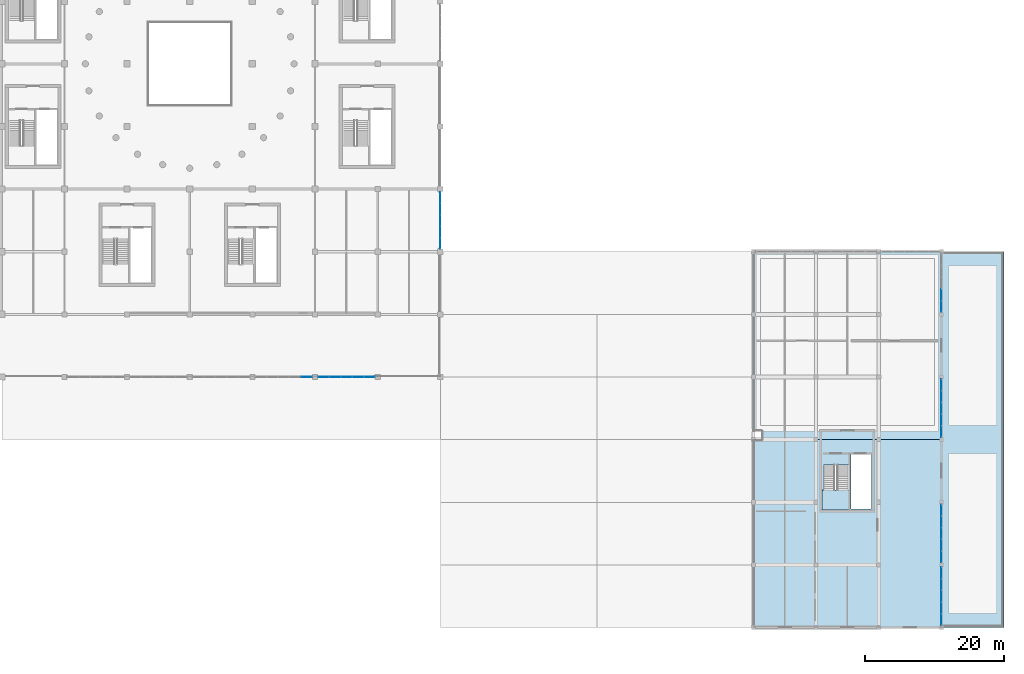
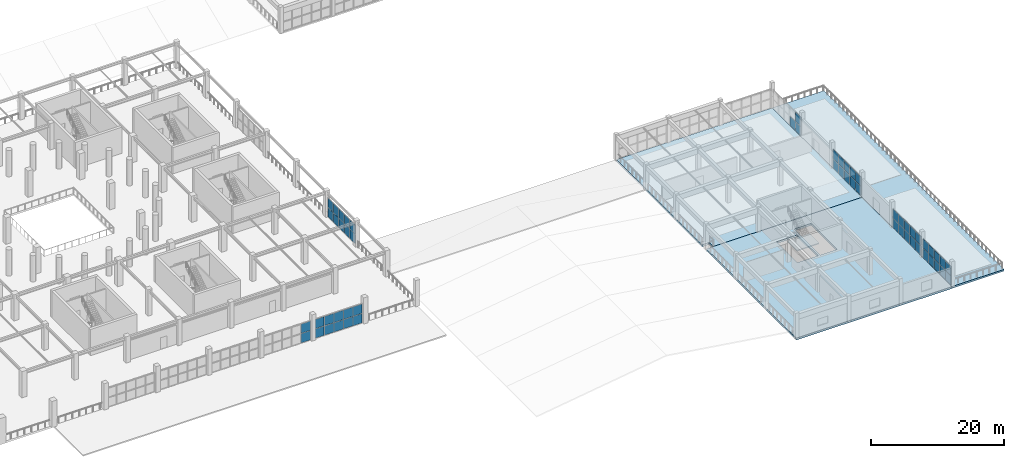
# One storey, part 54 of 89: 55 plates, 4 slabs, 8 elements without a shape of their own.
"""IFC4 building model written with IfcOpenShell, lengths in metres."""

from ifc_helpers import new_model, si_unit, direction, frame, origin, origin_2d, place, context, subcontext, project, spatial, polyline, rectangle, outline, extrude, material, layer, layer_set, type_object, element, aggregate, save


model = new_model("IFC4")

# Units and contexts
model_context = context("Model", 3, precision=1e-05, world=origin(), true_north=direction((0.0, 1.0)))
body_context = subcontext(model_context, "Body", "Model", "MODEL_VIEW")
ifc_project = project(units=[si_unit("LENGTHUNIT", "METRE"), si_unit("AREAUNIT", "SQUARE_METRE"), si_unit("VOLUMEUNIT", "CUBIC_METRE"), si_unit("PLANEANGLEUNIT", "RADIAN"), si_unit("MASSUNIT", "GRAM", prefix="KILO")], contexts=[model_context])

# Site, building, storey
site_placement = place(None, origin())
site = spatial("IfcSite", under=ifc_project, at=site_placement, CompositionType="ELEMENT")
building_placement = place(site_placement, origin())
building = spatial("IfcBuilding", under=site, at=building_placement, Name="Dornveld Trade and Exhibition Forum", CompositionType="ELEMENT")
storey_placement = place(building_placement, frame((0.0, 0.0, 12.0)))
storey = spatial("IfcBuildingStorey", under=building, at=storey_placement, Name="L02", CompositionType="ELEMENT", Elevation=12.0)

# Curtain wall, plates
ifc_material_1 = material(Name="Dark-bronze anodised aluminium and low-E glass", Category="aluminium")
ifc_layer_1 = layer(ifc_material_1, 0.18701171875)
ifc_layer_set_1 = layer_set([ifc_layer_1], Name="Dark-bronze anodised aluminium and low-E glass")
curtain_wall_type_1 = type_object("IfcCurtainWallType", Name="CW-SYS-15", PredefinedType="USERDEFINED", material=ifc_layer_set_1)
curtain_wall_1_placement = place(storey_placement, origin())
curtain_wall_1 = element("IfcCurtainWall", 1, at=curtain_wall_1_placement, inside=storey, type_object=curtain_wall_type_1, Name="L02 unitised curtain wall 51", ObjectType="UNITISED_CURTAIN_WALL", PredefinedType="USERDEFINED")
ifc_material_2 = material(Name="Double-glazed low-E solar control glass", Category="glass")
ifc_layer_2 = layer(ifc_material_2, 0.030029296875)
ifc_layer_set_2 = layer_set([ifc_layer_2], Name="Double-glazed low-E solar control glass")
plate_type_1 = type_object("IfcPlateType", Name="CW-PNL-03", PredefinedType="CURTAIN_PANEL", material=ifc_layer_set_2)
plate_1_placement = place(storey_placement, frame((133.7880859375, 36.0, 0.05615234375), z_axis=(0.0, 0.0, 1.0), x_axis=(1.0, 0.0, 0.0)))
plate_1 = element("IfcPlate", 2, at=plate_1_placement, type_object=plate_type_1, Name="CW-15 panel 5.1", PredefinedType="CURTAIN_PANEL", context=body_context, shape_type="SweptSolid", body=[
    extrude(rectangle(XDim=1.5615234375, YDim=0.030029296875, at=origin_2d()), origin(), (0.0, 0.0, 1.0), 1.701904296875),
])
plate_2_placement = place(storey_placement, frame((133.7880859375, 36.0, 1.81787109375), z_axis=(0.0, 0.0, 1.0), x_axis=(1.0, 0.0, 0.0)))
plate_2 = element("IfcPlate", 3, at=plate_2_placement, type_object=plate_type_1, Name="CW-15 panel 5.2", PredefinedType="CURTAIN_PANEL", context=body_context, shape_type="SweptSolid", body=[
    extrude(rectangle(XDim=1.5615234375, YDim=0.030029296875, at=origin_2d()), origin(), (0.0, 0.0, 1.0), 1.701904296875),
])
aggregate(curtain_wall_1, [plate_1, plate_2])

ifc_material_3 = material(Name="Dark-bronze anodised aluminium and low-E glass", Category="aluminium")
ifc_layer_3 = layer(ifc_material_3, 0.18994140625)
ifc_layer_set_3 = layer_set([ifc_layer_3], Name="Dark-bronze anodised aluminium and low-E glass")
curtain_wall_type_2 = type_object("IfcCurtainWallType", Name="CW-SYS-16", PredefinedType="USERDEFINED", material=ifc_layer_set_3)
curtain_wall_2_placement = place(storey_placement, origin())
curtain_wall_2 = element("IfcCurtainWall", 4, at=curtain_wall_2_placement, inside=storey, type_object=curtain_wall_type_2, Name="L02 unitised curtain wall 52", ObjectType="UNITISED_CURTAIN_WALL", PredefinedType="USERDEFINED")
ifc_material_4 = material(Name="Double-glazed low-E solar control glass", Category="glass")
ifc_layer_4 = layer(ifc_material_4, 0.031982421875)
ifc_layer_set_4 = layer_set([ifc_layer_4], Name="Double-glazed low-E solar control glass")
plate_type_2 = type_object("IfcPlateType", Name="CW-PNL-04", PredefinedType="CURTAIN_PANEL", material=ifc_layer_set_4)
plate_3_placement = place(storey_placement, frame((136.2119140625, 36.0, 0.05615234375), z_axis=(0.0, 0.0, 1.0), x_axis=(1.0, 0.0, 0.0)))
plate_3 = element("IfcPlate", 5, at=plate_3_placement, type_object=plate_type_2, Name="CW-16 panel 1.1", PredefinedType="CURTAIN_PANEL", context=body_context, shape_type="SweptSolid", body=[
    extrude(rectangle(XDim=1.5615234375, YDim=0.031982421875, at=origin_2d()), origin(), (0.0, 0.0, 1.0), 1.701904296875),
])
plate_4_placement = place(storey_placement, frame((136.2119140625, 36.0, 1.81787109375), z_axis=(0.0, 0.0, 1.0), x_axis=(1.0, 0.0, 0.0)))
plate_4 = element("IfcPlate", 6, at=plate_4_placement, type_object=plate_type_2, Name="CW-16 panel 1.2", PredefinedType="CURTAIN_PANEL", context=body_context, shape_type="SweptSolid", body=[
    extrude(rectangle(XDim=1.5615234375, YDim=0.031982421875, at=origin_2d()), origin(), (0.0, 0.0, 1.0), 1.701904296875),
])
plate_5_placement = place(storey_placement, frame((137.848388671875, 36.0, 0.05615234375), z_axis=(0.0, 0.0, 1.0), x_axis=(1.0, 0.0, 0.0)))
plate_5 = element("IfcPlate", 7, at=plate_5_placement, type_object=plate_type_2, Name="CW-16 panel 2.1", PredefinedType="CURTAIN_PANEL", context=body_context, shape_type="SweptSolid", body=[
    extrude(rectangle(XDim=1.591552734375, YDim=0.031982421875, at=origin_2d()), origin(), (0.0, 0.0, 1.0), 1.701904296875),
])
plate_6_placement = place(storey_placement, frame((137.848388671875, 36.0, 1.81787109375), z_axis=(0.0, 0.0, 1.0), x_axis=(1.0, 0.0, 0.0)))
plate_6 = element("IfcPlate", 8, at=plate_6_placement, type_object=plate_type_2, Name="CW-16 panel 2.2", PredefinedType="CURTAIN_PANEL", context=body_context, shape_type="SweptSolid", body=[
    extrude(rectangle(XDim=1.591552734375, YDim=0.031982421875, at=origin_2d()), origin(), (0.0, 0.0, 1.0), 1.701904296875),
])
plate_7_placement = place(storey_placement, frame((139.5, 36.0, 0.05615234375), z_axis=(0.0, 0.0, 1.0), x_axis=(1.0, 0.0, 0.0)))
plate_7 = element("IfcPlate", 9, at=plate_7_placement, type_object=plate_type_2, Name="CW-16 panel 3.1", PredefinedType="CURTAIN_PANEL", context=body_context, shape_type="SweptSolid", body=[
    extrude(rectangle(XDim=1.591552734375, YDim=0.031982421875, at=origin_2d()), origin(), (0.0, 0.0, 1.0), 1.701904296875),
])
plate_8_placement = place(storey_placement, frame((139.5, 36.0, 1.81787109375), z_axis=(0.0, 0.0, 1.0), x_axis=(1.0, 0.0, 0.0)))
plate_8 = element("IfcPlate", 10, at=plate_8_placement, type_object=plate_type_2, Name="CW-16 panel 3.2", PredefinedType="CURTAIN_PANEL", context=body_context, shape_type="SweptSolid", body=[
    extrude(rectangle(XDim=1.591552734375, YDim=0.031982421875, at=origin_2d()), origin(), (0.0, 0.0, 1.0), 1.701904296875),
])
plate_9_placement = place(storey_placement, frame((141.151611328125, 36.0, 0.05615234375), z_axis=(0.0, 0.0, 1.0), x_axis=(1.0, 0.0, 0.0)))
plate_9 = element("IfcPlate", 11, at=plate_9_placement, type_object=plate_type_2, Name="CW-16 panel 4.1", PredefinedType="CURTAIN_PANEL", context=body_context, shape_type="SweptSolid", body=[
    extrude(rectangle(XDim=1.591552734375, YDim=0.031982421875, at=origin_2d()), origin(), (0.0, 0.0, 1.0), 1.701904296875),
])
plate_10_placement = place(storey_placement, frame((141.151611328125, 36.0, 1.81787109375), z_axis=(0.0, 0.0, 1.0), x_axis=(1.0, 0.0, 0.0)))
plate_10 = element("IfcPlate", 12, at=plate_10_placement, type_object=plate_type_2, Name="CW-16 panel 4.2", PredefinedType="CURTAIN_PANEL", context=body_context, shape_type="SweptSolid", body=[
    extrude(rectangle(XDim=1.591552734375, YDim=0.031982421875, at=origin_2d()), origin(), (0.0, 0.0, 1.0), 1.701904296875),
])
plate_11_placement = place(storey_placement, frame((142.7880859375, 36.0, 0.05615234375), z_axis=(0.0, 0.0, 1.0), x_axis=(1.0, 0.0, 0.0)))
plate_11 = element("IfcPlate", 13, at=plate_11_placement, type_object=plate_type_2, Name="CW-16 panel 5.1", PredefinedType="CURTAIN_PANEL", context=body_context, shape_type="SweptSolid", body=[
    extrude(rectangle(XDim=1.5615234375, YDim=0.031982421875, at=origin_2d()), origin(), (0.0, 0.0, 1.0), 1.701904296875),
])
plate_12_placement = place(storey_placement, frame((142.7880859375, 36.0, 1.81787109375), z_axis=(0.0, 0.0, 1.0), x_axis=(1.0, 0.0, 0.0)))
plate_12 = element("IfcPlate", 14, at=plate_12_placement, type_object=plate_type_2, Name="CW-16 panel 5.2", PredefinedType="CURTAIN_PANEL", context=body_context, shape_type="SweptSolid", body=[
    extrude(rectangle(XDim=1.5615234375, YDim=0.031982421875, at=origin_2d()), origin(), (0.0, 0.0, 1.0), 1.701904296875),
])
aggregate(curtain_wall_2, [plate_3, plate_4, plate_5, plate_6, plate_7, plate_8, plate_9, plate_10, plate_11, plate_12])

ifc_material_5 = material(Name="Dark-bronze anodised aluminium and low-E glass", Category="aluminium")
ifc_layer_5 = layer(ifc_material_5, 0.154052734375)
ifc_layer_set_5 = layer_set([ifc_layer_5], Name="Dark-bronze anodised aluminium and low-E glass")
curtain_wall_type_3 = type_object("IfcCurtainWallType", Name="CW-SYS-04", PredefinedType="USERDEFINED", material=ifc_layer_set_5)
curtain_wall_3_placement = place(storey_placement, origin())
curtain_wall_3 = element("IfcCurtainWall", 15, at=curtain_wall_3_placement, inside=storey, type_object=curtain_wall_type_3, Name="L02 unitised curtain wall 76", ObjectType="UNITISED_CURTAIN_WALL", PredefinedType="USERDEFINED")
plate_13_placement = place(storey_placement, frame((225.0, 1.15185546875, 0.05615234375), z_axis=(0.0, 0.0, 1.0), x_axis=(0.0, 1.0, 0.0)))
plate_13 = element("IfcPlate", 16, at=plate_13_placement, type_object=plate_type_2, Name="CW-04 panel 1.1", PredefinedType="CURTAIN_PANEL", context=body_context, shape_type="SweptSolid", body=[
    extrude(rectangle(XDim=1.591552734375, YDim=0.031982421875, at=origin_2d()), origin(), (0.0, 0.0, 1.0), 1.701904296875),
])
plate_14_placement = place(storey_placement, frame((225.0, 1.15185546875, 1.81787109375), z_axis=(0.0, 0.0, 1.0), x_axis=(0.0, 1.0, 0.0)))
plate_14 = element("IfcPlate", 17, at=plate_14_placement, type_object=plate_type_2, Name="CW-04 panel 1.2", PredefinedType="CURTAIN_PANEL", context=body_context, shape_type="SweptSolid", body=[
    extrude(rectangle(XDim=1.591552734375, YDim=0.031982421875, at=origin_2d()), origin(), (0.0, 0.0, 1.0), 1.701904296875),
])
plate_15_placement = place(storey_placement, frame((225.0, 2.818359375, 0.05615234375), z_axis=(0.0, 0.0, 1.0), x_axis=(0.0, 1.0, 0.0)))
plate_15 = element("IfcPlate", 18, at=plate_15_placement, type_object=plate_type_2, Name="CW-04 panel 2.1", PredefinedType="CURTAIN_PANEL", context=body_context, shape_type="SweptSolid", body=[
    extrude(rectangle(XDim=1.62158203125, YDim=0.031982421875, at=origin_2d()), origin(), (0.0, 0.0, 1.0), 1.701904296875),
])
plate_16_placement = place(storey_placement, frame((225.0, 2.818359375, 1.81787109375), z_axis=(0.0, 0.0, 1.0), x_axis=(0.0, 1.0, 0.0)))
plate_16 = element("IfcPlate", 19, at=plate_16_placement, type_object=plate_type_2, Name="CW-04 panel 2.2", PredefinedType="CURTAIN_PANEL", context=body_context, shape_type="SweptSolid", body=[
    extrude(rectangle(XDim=1.62158203125, YDim=0.031982421875, at=origin_2d()), origin(), (0.0, 0.0, 1.0), 1.701904296875),
])
plate_17_placement = place(storey_placement, frame((225.0, 4.5, 0.05615234375), z_axis=(0.0, 0.0, 1.0), x_axis=(0.0, 1.0, 0.0)))
plate_17 = element("IfcPlate", 20, at=plate_17_placement, type_object=plate_type_2, Name="CW-04 panel 3.1", PredefinedType="CURTAIN_PANEL", context=body_context, shape_type="SweptSolid", body=[
    extrude(rectangle(XDim=1.62158203125, YDim=0.031982421875, at=origin_2d()), origin(), (0.0, 0.0, 1.0), 1.701904296875),
])
plate_18_placement = place(storey_placement, frame((225.0, 4.5, 1.81787109375), z_axis=(0.0, 0.0, 1.0), x_axis=(0.0, 1.0, 0.0)))
plate_18 = element("IfcPlate", 21, at=plate_18_placement, type_object=plate_type_2, Name="CW-04 panel 3.2", PredefinedType="CURTAIN_PANEL", context=body_context, shape_type="SweptSolid", body=[
    extrude(rectangle(XDim=1.62158203125, YDim=0.031982421875, at=origin_2d()), origin(), (0.0, 0.0, 1.0), 1.701904296875),
])
plate_19_placement = place(storey_placement, frame((225.0, 6.181640625, 0.05615234375), z_axis=(0.0, 0.0, 1.0), x_axis=(0.0, 1.0, 0.0)))
plate_19 = element("IfcPlate", 22, at=plate_19_placement, type_object=plate_type_2, Name="CW-04 panel 4.1", PredefinedType="CURTAIN_PANEL", context=body_context, shape_type="SweptSolid", body=[
    extrude(rectangle(XDim=1.62158203125, YDim=0.031982421875, at=origin_2d()), origin(), (0.0, 0.0, 1.0), 1.701904296875),
])
plate_20_placement = place(storey_placement, frame((225.0, 6.181640625, 1.81787109375), z_axis=(0.0, 0.0, 1.0), x_axis=(0.0, 1.0, 0.0)))
plate_20 = element("IfcPlate", 23, at=plate_20_placement, type_object=plate_type_2, Name="CW-04 panel 4.2", PredefinedType="CURTAIN_PANEL", context=body_context, shape_type="SweptSolid", body=[
    extrude(rectangle(XDim=1.62158203125, YDim=0.031982421875, at=origin_2d()), origin(), (0.0, 0.0, 1.0), 1.701904296875),
])
plate_21_placement = place(storey_placement, frame((225.0, 7.84814453125, 0.05615234375), z_axis=(0.0, 0.0, 1.0), x_axis=(0.0, 1.0, 0.0)))
plate_21 = element("IfcPlate", 24, at=plate_21_placement, type_object=plate_type_2, Name="CW-04 panel 5.1", PredefinedType="CURTAIN_PANEL", context=body_context, shape_type="SweptSolid", body=[
    extrude(rectangle(XDim=1.591552734375, YDim=0.031982421875, at=origin_2d()), origin(), (0.0, 0.0, 1.0), 1.701904296875),
])
plate_22_placement = place(storey_placement, frame((225.0, 7.84814453125, 1.81787109375), z_axis=(0.0, 0.0, 1.0), x_axis=(0.0, 1.0, 0.0)))
plate_22 = element("IfcPlate", 25, at=plate_22_placement, type_object=plate_type_2, Name="CW-04 panel 5.2", PredefinedType="CURTAIN_PANEL", context=body_context, shape_type="SweptSolid", body=[
    extrude(rectangle(XDim=1.591552734375, YDim=0.031982421875, at=origin_2d()), origin(), (0.0, 0.0, 1.0), 1.701904296875),
])
aggregate(curtain_wall_3, [plate_13, plate_14, plate_15, plate_16, plate_17, plate_18, plate_19, plate_20, plate_21, plate_22])

ifc_material_6 = material(Name="Dark-bronze anodised aluminium and low-E glass", Category="aluminium")
ifc_layer_6 = layer(ifc_material_6, 0.156982421875)
ifc_layer_set_6 = layer_set([ifc_layer_6], Name="Dark-bronze anodised aluminium and low-E glass")
curtain_wall_type_4 = type_object("IfcCurtainWallType", Name="CW-SYS-05", PredefinedType="USERDEFINED", material=ifc_layer_set_6)
curtain_wall_4_placement = place(storey_placement, origin())
curtain_wall_4 = element("IfcCurtainWall", 26, at=curtain_wall_4_placement, inside=storey, type_object=curtain_wall_type_4, Name="L02 unitised curtain wall 77", ObjectType="UNITISED_CURTAIN_WALL", PredefinedType="USERDEFINED")
ifc_material_7 = material(Name="Double-glazed low-E solar control glass", Category="glass")
ifc_layer_7 = layer(ifc_material_7, 0.033935546875)
ifc_layer_set_7 = layer_set([ifc_layer_7], Name="Double-glazed low-E solar control glass")
plate_type_3 = type_object("IfcPlateType", Name="CW-PNL-05", PredefinedType="CURTAIN_PANEL", material=ifc_layer_set_7)
plate_23_placement = place(storey_placement, frame((225.0, 10.15185546875, 0.05615234375), z_axis=(0.0, 0.0, 1.0), x_axis=(0.0, 1.0, 0.0)))
plate_23 = element("IfcPlate", 27, at=plate_23_placement, type_object=plate_type_3, Name="CW-05 panel 1.1", PredefinedType="CURTAIN_PANEL", context=body_context, shape_type="SweptSolid", body=[
    extrude(rectangle(XDim=1.591552734375, YDim=0.033935546875, at=origin_2d()), origin(), (0.0, 0.0, 1.0), 1.701904296875),
])
plate_24_placement = place(storey_placement, frame((225.0, 10.15185546875, 1.81787109375), z_axis=(0.0, 0.0, 1.0), x_axis=(0.0, 1.0, 0.0)))
plate_24 = element("IfcPlate", 28, at=plate_24_placement, type_object=plate_type_3, Name="CW-05 panel 1.2", PredefinedType="CURTAIN_PANEL", context=body_context, shape_type="SweptSolid", body=[
    extrude(rectangle(XDim=1.591552734375, YDim=0.033935546875, at=origin_2d()), origin(), (0.0, 0.0, 1.0), 1.701904296875),
])
plate_25_placement = place(storey_placement, frame((225.0, 11.818359375, 0.05615234375), z_axis=(0.0, 0.0, 1.0), x_axis=(0.0, 1.0, 0.0)))
plate_25 = element("IfcPlate", 29, at=plate_25_placement, type_object=plate_type_3, Name="CW-05 panel 2.1", PredefinedType="CURTAIN_PANEL", context=body_context, shape_type="SweptSolid", body=[
    extrude(rectangle(XDim=1.62158203125, YDim=0.033935546875, at=origin_2d()), origin(), (0.0, 0.0, 1.0), 1.701904296875),
])
plate_26_placement = place(storey_placement, frame((225.0, 11.818359375, 1.81787109375), z_axis=(0.0, 0.0, 1.0), x_axis=(0.0, 1.0, 0.0)))
plate_26 = element("IfcPlate", 30, at=plate_26_placement, type_object=plate_type_3, Name="CW-05 panel 2.2", PredefinedType="CURTAIN_PANEL", context=body_context, shape_type="SweptSolid", body=[
    extrude(rectangle(XDim=1.62158203125, YDim=0.033935546875, at=origin_2d()), origin(), (0.0, 0.0, 1.0), 1.701904296875),
])
plate_27_placement = place(storey_placement, frame((225.0, 13.5, 0.05615234375), z_axis=(0.0, 0.0, 1.0), x_axis=(0.0, 1.0, 0.0)))
plate_27 = element("IfcPlate", 31, at=plate_27_placement, type_object=plate_type_3, Name="CW-05 panel 3.1", PredefinedType="CURTAIN_PANEL", context=body_context, shape_type="SweptSolid", body=[
    extrude(rectangle(XDim=1.62158203125, YDim=0.033935546875, at=origin_2d()), origin(), (0.0, 0.0, 1.0), 1.701904296875),
])
plate_28_placement = place(storey_placement, frame((225.0, 13.5, 1.81787109375), z_axis=(0.0, 0.0, 1.0), x_axis=(0.0, 1.0, 0.0)))
plate_28 = element("IfcPlate", 32, at=plate_28_placement, type_object=plate_type_3, Name="CW-05 panel 3.2", PredefinedType="CURTAIN_PANEL", context=body_context, shape_type="SweptSolid", body=[
    extrude(rectangle(XDim=1.62158203125, YDim=0.033935546875, at=origin_2d()), origin(), (0.0, 0.0, 1.0), 1.701904296875),
])
plate_29_placement = place(storey_placement, frame((225.0, 15.181640625, 0.05615234375), z_axis=(0.0, 0.0, 1.0), x_axis=(0.0, 1.0, 0.0)))
plate_29 = element("IfcPlate", 33, at=plate_29_placement, type_object=plate_type_3, Name="CW-05 panel 4.1", PredefinedType="CURTAIN_PANEL", context=body_context, shape_type="SweptSolid", body=[
    extrude(rectangle(XDim=1.62158203125, YDim=0.033935546875, at=origin_2d()), origin(), (0.0, 0.0, 1.0), 1.701904296875),
])
plate_30_placement = place(storey_placement, frame((225.0, 15.181640625, 1.81787109375), z_axis=(0.0, 0.0, 1.0), x_axis=(0.0, 1.0, 0.0)))
plate_30 = element("IfcPlate", 34, at=plate_30_placement, type_object=plate_type_3, Name="CW-05 panel 4.2", PredefinedType="CURTAIN_PANEL", context=body_context, shape_type="SweptSolid", body=[
    extrude(rectangle(XDim=1.62158203125, YDim=0.033935546875, at=origin_2d()), origin(), (0.0, 0.0, 1.0), 1.701904296875),
])
plate_31_placement = place(storey_placement, frame((225.0, 16.84814453125, 0.05615234375), z_axis=(0.0, 0.0, 1.0), x_axis=(0.0, 1.0, 0.0)))
plate_31 = element("IfcPlate", 35, at=plate_31_placement, type_object=plate_type_3, Name="CW-05 panel 5.1", PredefinedType="CURTAIN_PANEL", context=body_context, shape_type="SweptSolid", body=[
    extrude(rectangle(XDim=1.591552734375, YDim=0.033935546875, at=origin_2d()), origin(), (0.0, 0.0, 1.0), 1.701904296875),
])
plate_32_placement = place(storey_placement, frame((225.0, 16.84814453125, 1.81787109375), z_axis=(0.0, 0.0, 1.0), x_axis=(0.0, 1.0, 0.0)))
plate_32 = element("IfcPlate", 36, at=plate_32_placement, type_object=plate_type_3, Name="CW-05 panel 5.2", PredefinedType="CURTAIN_PANEL", context=body_context, shape_type="SweptSolid", body=[
    extrude(rectangle(XDim=1.591552734375, YDim=0.033935546875, at=origin_2d()), origin(), (0.0, 0.0, 1.0), 1.701904296875),
])
aggregate(curtain_wall_4, [plate_23, plate_24, plate_25, plate_26, plate_27, plate_28, plate_29, plate_30, plate_31, plate_32])

ifc_material_8 = material(Name="Dark-bronze anodised aluminium and low-E glass", Category="aluminium")
ifc_layer_8 = layer(ifc_material_8, 0.166015625)
ifc_layer_set_8 = layer_set([ifc_layer_8], Name="Dark-bronze anodised aluminium and low-E glass")
curtain_wall_type_5 = type_object("IfcCurtainWallType", Name="CW-SYS-08", PredefinedType="USERDEFINED", material=ifc_layer_set_8)
curtain_wall_5_placement = place(storey_placement, origin())
curtain_wall_5 = element("IfcCurtainWall", 37, at=curtain_wall_5_placement, inside=storey, type_object=curtain_wall_type_5, Name="L02 unitised curtain wall 62", ObjectType="UNITISED_CURTAIN_WALL", PredefinedType="USERDEFINED")
ifc_material_9 = material(Name="Double-glazed low-E solar control glass", Category="glass")
ifc_layer_9 = layer(ifc_material_9, 0.035888671875)
ifc_layer_set_9 = layer_set([ifc_layer_9], Name="Double-glazed low-E solar control glass")
plate_type_4 = type_object("IfcPlateType", Name="CW-PNL-06", PredefinedType="CURTAIN_PANEL", material=ifc_layer_set_9)
plate_33_placement = place(storey_placement, frame((153.0, 55.2119140625, 0.05615234375), z_axis=(0.0, 0.0, 1.0), x_axis=(0.0, 1.0, 0.0)))
plate_33 = element("IfcPlate", 38, at=plate_33_placement, type_object=plate_type_4, Name="CW-08 panel 1.1", PredefinedType="CURTAIN_PANEL", context=body_context, shape_type="SweptSolid", body=[
    extrude(rectangle(XDim=1.5615234375, YDim=0.035888671875, at=origin_2d()), origin(), (0.0, 0.0, 1.0), 1.701904296875),
])
plate_34_placement = place(storey_placement, frame((153.0, 55.2119140625, 1.81787109375), z_axis=(0.0, 0.0, 1.0), x_axis=(0.0, 1.0, 0.0)))
plate_34 = element("IfcPlate", 39, at=plate_34_placement, type_object=plate_type_4, Name="CW-08 panel 1.2", PredefinedType="CURTAIN_PANEL", context=body_context, shape_type="SweptSolid", body=[
    extrude(rectangle(XDim=1.5615234375, YDim=0.035888671875, at=origin_2d()), origin(), (0.0, 0.0, 1.0), 1.701904296875),
])
plate_35_placement = place(storey_placement, frame((153.0, 56.848388671875, 0.05615234375), z_axis=(0.0, 0.0, 1.0), x_axis=(0.0, 1.0, 0.0)))
plate_35 = element("IfcPlate", 40, at=plate_35_placement, type_object=plate_type_4, Name="CW-08 panel 2.1", PredefinedType="CURTAIN_PANEL", context=body_context, shape_type="SweptSolid", body=[
    extrude(rectangle(XDim=1.591552734375, YDim=0.035888671875, at=origin_2d()), origin(), (0.0, 0.0, 1.0), 1.701904296875),
])
plate_36_placement = place(storey_placement, frame((153.0, 56.848388671875, 1.81787109375), z_axis=(0.0, 0.0, 1.0), x_axis=(0.0, 1.0, 0.0)))
plate_36 = element("IfcPlate", 41, at=plate_36_placement, type_object=plate_type_4, Name="CW-08 panel 2.2", PredefinedType="CURTAIN_PANEL", context=body_context, shape_type="SweptSolid", body=[
    extrude(rectangle(XDim=1.591552734375, YDim=0.035888671875, at=origin_2d()), origin(), (0.0, 0.0, 1.0), 1.701904296875),
])
plate_37_placement = place(storey_placement, frame((153.0, 58.5, 0.05615234375), z_axis=(0.0, 0.0, 1.0), x_axis=(0.0, 1.0, 0.0)))
plate_37 = element("IfcPlate", 42, at=plate_37_placement, type_object=plate_type_4, Name="CW-08 panel 3.1", PredefinedType="CURTAIN_PANEL", context=body_context, shape_type="SweptSolid", body=[
    extrude(rectangle(XDim=1.591552734375, YDim=0.035888671875, at=origin_2d()), origin(), (0.0, 0.0, 1.0), 1.701904296875),
])
plate_38_placement = place(storey_placement, frame((153.0, 58.5, 1.81787109375), z_axis=(0.0, 0.0, 1.0), x_axis=(0.0, 1.0, 0.0)))
plate_38 = element("IfcPlate", 43, at=plate_38_placement, type_object=plate_type_4, Name="CW-08 panel 3.2", PredefinedType="CURTAIN_PANEL", context=body_context, shape_type="SweptSolid", body=[
    extrude(rectangle(XDim=1.591552734375, YDim=0.035888671875, at=origin_2d()), origin(), (0.0, 0.0, 1.0), 1.701904296875),
])
plate_39_placement = place(storey_placement, frame((153.0, 60.151611328125, 0.05615234375), z_axis=(0.0, 0.0, 1.0), x_axis=(0.0, 1.0, 0.0)))
plate_39 = element("IfcPlate", 44, at=plate_39_placement, type_object=plate_type_4, Name="CW-08 panel 4.1", PredefinedType="CURTAIN_PANEL", context=body_context, shape_type="SweptSolid", body=[
    extrude(rectangle(XDim=1.591552734375, YDim=0.035888671875, at=origin_2d()), origin(), (0.0, 0.0, 1.0), 1.701904296875),
])
plate_40_placement = place(storey_placement, frame((153.0, 60.151611328125, 1.81787109375), z_axis=(0.0, 0.0, 1.0), x_axis=(0.0, 1.0, 0.0)))
plate_40 = element("IfcPlate", 45, at=plate_40_placement, type_object=plate_type_4, Name="CW-08 panel 4.2", PredefinedType="CURTAIN_PANEL", context=body_context, shape_type="SweptSolid", body=[
    extrude(rectangle(XDim=1.591552734375, YDim=0.035888671875, at=origin_2d()), origin(), (0.0, 0.0, 1.0), 1.701904296875),
])
plate_41_placement = place(storey_placement, frame((153.0, 61.7880859375, 0.05615234375), z_axis=(0.0, 0.0, 1.0), x_axis=(0.0, 1.0, 0.0)))
plate_41 = element("IfcPlate", 46, at=plate_41_placement, type_object=plate_type_4, Name="CW-08 panel 5.1", PredefinedType="CURTAIN_PANEL", context=body_context, shape_type="SweptSolid", body=[
    extrude(rectangle(XDim=1.5615234375, YDim=0.035888671875, at=origin_2d()), origin(), (0.0, 0.0, 1.0), 1.701904296875),
])
plate_42_placement = place(storey_placement, frame((153.0, 61.7880859375, 1.81787109375), z_axis=(0.0, 0.0, 1.0), x_axis=(0.0, 1.0, 0.0)))
plate_42 = element("IfcPlate", 47, at=plate_42_placement, type_object=plate_type_4, Name="CW-08 panel 5.2", PredefinedType="CURTAIN_PANEL", context=body_context, shape_type="SweptSolid", body=[
    extrude(rectangle(XDim=1.5615234375, YDim=0.035888671875, at=origin_2d()), origin(), (0.0, 0.0, 1.0), 1.701904296875),
])
aggregate(curtain_wall_5, [plate_33, plate_34, plate_35, plate_36, plate_37, plate_38, plate_39, plate_40, plate_41, plate_42])

ifc_material_10 = material(Name="Dark-bronze anodised aluminium and low-E glass", Category="aluminium")
ifc_layer_10 = layer(ifc_material_10, 0.159912109375)
ifc_layer_set_10 = layer_set([ifc_layer_10], Name="Dark-bronze anodised aluminium and low-E glass")
curtain_wall_type_6 = type_object("IfcCurtainWallType", Name="CW-SYS-06", PredefinedType="USERDEFINED", material=ifc_layer_set_10)
curtain_wall_6_placement = place(storey_placement, origin())
curtain_wall_6 = element("IfcCurtainWall", 48, at=curtain_wall_6_placement, inside=storey, type_object=curtain_wall_type_6, Name="L02 unitised curtain wall 78", ObjectType="UNITISED_CURTAIN_WALL", PredefinedType="USERDEFINED")
plate_43_placement = place(storey_placement, frame((225.0, 28.15185546875, 0.05615234375), z_axis=(0.0, 0.0, 1.0), x_axis=(0.0, 1.0, 0.0)))
plate_43 = element("IfcPlate", 49, at=plate_43_placement, type_object=plate_type_4, Name="CW-06 panel 1.1", PredefinedType="CURTAIN_PANEL", context=body_context, shape_type="SweptSolid", body=[
    extrude(rectangle(XDim=1.591552734375, YDim=0.035888671875, at=origin_2d()), origin(), (0.0, 0.0, 1.0), 1.701904296875),
])
plate_44_placement = place(storey_placement, frame((225.0, 28.15185546875, 1.81787109375), z_axis=(0.0, 0.0, 1.0), x_axis=(0.0, 1.0, 0.0)))
plate_44 = element("IfcPlate", 50, at=plate_44_placement, type_object=plate_type_4, Name="CW-06 panel 1.2", PredefinedType="CURTAIN_PANEL", context=body_context, shape_type="SweptSolid", body=[
    extrude(rectangle(XDim=1.591552734375, YDim=0.035888671875, at=origin_2d()), origin(), (0.0, 0.0, 1.0), 1.701904296875),
])
plate_45_placement = place(storey_placement, frame((225.0, 29.818359375, 0.05615234375), z_axis=(0.0, 0.0, 1.0), x_axis=(0.0, 1.0, 0.0)))
plate_45 = element("IfcPlate", 51, at=plate_45_placement, type_object=plate_type_4, Name="CW-06 panel 2.1", PredefinedType="CURTAIN_PANEL", context=body_context, shape_type="SweptSolid", body=[
    extrude(rectangle(XDim=1.62158203125, YDim=0.035888671875, at=origin_2d()), origin(), (0.0, 0.0, 1.0), 1.701904296875),
])
plate_46_placement = place(storey_placement, frame((225.0, 29.818359375, 1.81787109375), z_axis=(0.0, 0.0, 1.0), x_axis=(0.0, 1.0, 0.0)))
plate_46 = element("IfcPlate", 52, at=plate_46_placement, type_object=plate_type_4, Name="CW-06 panel 2.2", PredefinedType="CURTAIN_PANEL", context=body_context, shape_type="SweptSolid", body=[
    extrude(rectangle(XDim=1.62158203125, YDim=0.035888671875, at=origin_2d()), origin(), (0.0, 0.0, 1.0), 1.701904296875),
])
plate_47_placement = place(storey_placement, frame((225.0, 31.5, 0.05615234375), z_axis=(0.0, 0.0, 1.0), x_axis=(0.0, 1.0, 0.0)))
plate_47 = element("IfcPlate", 53, at=plate_47_placement, type_object=plate_type_4, Name="CW-06 panel 3.1", PredefinedType="CURTAIN_PANEL", context=body_context, shape_type="SweptSolid", body=[
    extrude(rectangle(XDim=1.62158203125, YDim=0.035888671875, at=origin_2d()), origin(), (0.0, 0.0, 1.0), 1.701904296875),
])
plate_48_placement = place(storey_placement, frame((225.0, 31.5, 1.81787109375), z_axis=(0.0, 0.0, 1.0), x_axis=(0.0, 1.0, 0.0)))
plate_48 = element("IfcPlate", 54, at=plate_48_placement, type_object=plate_type_4, Name="CW-06 panel 3.2", PredefinedType="CURTAIN_PANEL", context=body_context, shape_type="SweptSolid", body=[
    extrude(rectangle(XDim=1.62158203125, YDim=0.035888671875, at=origin_2d()), origin(), (0.0, 0.0, 1.0), 1.701904296875),
])
plate_49_placement = place(storey_placement, frame((225.0, 33.181640625, 0.05615234375), z_axis=(0.0, 0.0, 1.0), x_axis=(0.0, 1.0, 0.0)))
plate_49 = element("IfcPlate", 55, at=plate_49_placement, type_object=plate_type_4, Name="CW-06 panel 4.1", PredefinedType="CURTAIN_PANEL", context=body_context, shape_type="SweptSolid", body=[
    extrude(rectangle(XDim=1.62158203125, YDim=0.035888671875, at=origin_2d()), origin(), (0.0, 0.0, 1.0), 1.701904296875),
])
plate_50_placement = place(storey_placement, frame((225.0, 33.181640625, 1.81787109375), z_axis=(0.0, 0.0, 1.0), x_axis=(0.0, 1.0, 0.0)))
plate_50 = element("IfcPlate", 56, at=plate_50_placement, type_object=plate_type_4, Name="CW-06 panel 4.2", PredefinedType="CURTAIN_PANEL", context=body_context, shape_type="SweptSolid", body=[
    extrude(rectangle(XDim=1.62158203125, YDim=0.035888671875, at=origin_2d()), origin(), (0.0, 0.0, 1.0), 1.701904296875),
])
plate_51_placement = place(storey_placement, frame((225.0, 34.84814453125, 0.05615234375), z_axis=(0.0, 0.0, 1.0), x_axis=(0.0, 1.0, 0.0)))
plate_51 = element("IfcPlate", 57, at=plate_51_placement, type_object=plate_type_4, Name="CW-06 panel 5.1", PredefinedType="CURTAIN_PANEL", context=body_context, shape_type="SweptSolid", body=[
    extrude(rectangle(XDim=1.591552734375, YDim=0.035888671875, at=origin_2d()), origin(), (0.0, 0.0, 1.0), 1.701904296875),
])
plate_52_placement = place(storey_placement, frame((225.0, 34.84814453125, 1.81787109375), z_axis=(0.0, 0.0, 1.0), x_axis=(0.0, 1.0, 0.0)))
plate_52 = element("IfcPlate", 58, at=plate_52_placement, type_object=plate_type_4, Name="CW-06 panel 5.2", PredefinedType="CURTAIN_PANEL", context=body_context, shape_type="SweptSolid", body=[
    extrude(rectangle(XDim=1.591552734375, YDim=0.035888671875, at=origin_2d()), origin(), (0.0, 0.0, 1.0), 1.701904296875),
])
aggregate(curtain_wall_6, [plate_43, plate_44, plate_45, plate_46, plate_47, plate_48, plate_49, plate_50, plate_51, plate_52])

ifc_material_11 = material(Name="Dark-bronze anodised aluminium and low-E glass", Category="aluminium")
ifc_layer_11 = layer(ifc_material_11, 0.1630859375)
ifc_layer_set_11 = layer_set([ifc_layer_11], Name="Dark-bronze anodised aluminium and low-E glass")
curtain_wall_type_7 = type_object("IfcCurtainWallType", Name="CW-SYS-07", PredefinedType="USERDEFINED", material=ifc_layer_set_11)
curtain_wall_7_placement = place(storey_placement, origin())
curtain_wall_7 = element("IfcCurtainWall", 59, at=curtain_wall_7_placement, inside=storey, type_object=curtain_wall_type_7, Name="L02 unitised curtain wall 79", ObjectType="UNITISED_CURTAIN_WALL", PredefinedType="USERDEFINED")
ifc_material_12 = material(Name="Double-glazed low-E solar control glass", Category="glass")
ifc_layer_12 = layer(ifc_material_12, 0.0380859375)
ifc_layer_set_12 = layer_set([ifc_layer_12], Name="Double-glazed low-E solar control glass")
plate_type_5 = type_object("IfcPlateType", Name="CW-PNL-07", PredefinedType="CURTAIN_PANEL", material=ifc_layer_set_12)
plate_53_placement = place(storey_placement, frame((225.0, 46.15185546875, 0.05615234375), z_axis=(0.0, 0.0, 1.0), x_axis=(0.0, 1.0, 0.0)))
plate_53 = element("IfcPlate", 60, at=plate_53_placement, type_object=plate_type_5, Name="CW-07 panel 1.1", PredefinedType="CURTAIN_PANEL", context=body_context, shape_type="SweptSolid", body=[
    extrude(rectangle(XDim=1.591552734375, YDim=0.0380859375, at=origin_2d()), origin(), (0.0, 0.0, 1.0), 1.701904296875),
])
plate_54_placement = place(storey_placement, frame((225.0, 46.15185546875, 1.81787109375), z_axis=(0.0, 0.0, 1.0), x_axis=(0.0, 1.0, 0.0)))
plate_54 = element("IfcPlate", 61, at=plate_54_placement, type_object=plate_type_5, Name="CW-07 panel 1.2", PredefinedType="CURTAIN_PANEL", context=body_context, shape_type="SweptSolid", body=[
    extrude(rectangle(XDim=1.591552734375, YDim=0.0380859375, at=origin_2d()), origin(), (0.0, 0.0, 1.0), 1.701904296875),
])
plate_55_placement = place(storey_placement, frame((225.0, 47.818359375, 0.05615234375), z_axis=(0.0, 0.0, 1.0), x_axis=(0.0, 1.0, 0.0)))
plate_55 = element("IfcPlate", 62, at=plate_55_placement, type_object=plate_type_5, Name="CW-07 panel 2.1", PredefinedType="CURTAIN_PANEL", context=body_context, shape_type="SweptSolid", body=[
    extrude(rectangle(XDim=1.62158203125, YDim=0.0380859375, at=origin_2d()), origin(), (0.0, 0.0, 1.0), 1.701904296875),
])
aggregate(curtain_wall_7, [plate_53, plate_54, plate_55])

# Stair, slab
ifc_material_13 = material(Name="Concrete C40/50", Category="concrete")
stair_type = type_object("IfcStairType", Name="ST-2RET-480A", PredefinedType="HALF_TURN_STAIR", material=ifc_material_13)
stair_placement = place(storey_placement, origin())
stair = element("IfcStair", 63, at=stair_placement, inside=storey, type_object=stair_type, Name="CORE-11 escape stair L02 to L03", PredefinedType="HALF_TURN_STAIR")
ifc_material_14 = material(Name="Concrete C40/50", Category="concrete")
ifc_layer_13 = layer(ifc_material_14, 0.199951171875)
ifc_layer_set_13 = layer_set([ifc_layer_13], Name="Concrete C40/50")
slab_type_1 = type_object("IfcSlabType", Name="SL-LAND-200", PredefinedType="LANDING", material=ifc_layer_set_13)
slab_1_placement = place(storey_placement, frame((0.0, 0.0, 2.199951171875)))
slab_1 = element("IfcSlab", 64, at=slab_1_placement, type_object=slab_type_1, Name="ST-11-L02 landing 1", PredefinedType="LANDING", context=body_context, shape_type="SweptSolid", body=[
    extrude(outline(polyline([(207.875, 16.875), (211.719970703125, 16.875), (211.719970703125, 19.735107421875), (207.875, 19.735107421875), (207.875, 16.875)])), origin(), (0.0, 0.0, 1.0), 0.199951171875),
])
aggregate(stair, [slab_1])

# Slabs
ifc_material_15 = material(Name="Precast concrete C50/60", Category="concrete")
ifc_layer_14 = layer(ifc_material_15, 0.260009765625)
ifc_layer_set_14 = layer_set([ifc_layer_14], Name="Precast concrete C50/60")
slab_type_2 = type_object("IfcSlabType", Name="SL-OFF-260", PredefinedType="FLOOR", material=ifc_layer_set_14)
slab_2_placement = place(storey_placement, frame((0.0, 0.0, -0.360107421875)))
element("IfcSlab", 65, at=slab_2_placement, inside=storey, type_object=slab_type_2, Name="L02 structural slab panel 63", PredefinedType="FLOOR", context=body_context, shape_type="SweptSolid", body=[
    extrude(outline(polyline([(198.0, 0.0), (225.0, 0.0), (225.0, 27.0), (198.0, 27.0), (198.0, 0.0)]), holes=[polyline([(208.050048828125, 17.050048828125), (211.64990234375, 17.050048828125), (211.64990234375, 23.330078125), (208.050048828125, 23.330078125), (208.050048828125, 17.050048828125)]), polyline([(212.0, 17.050048828125), (214.949951171875, 17.050048828125), (214.949951171875, 24.89990234375), (212.0, 24.89990234375), (212.0, 17.050048828125)])]), origin(), (0.0, 0.0, 1.0), 0.360107421875),
])
slab_3_placement = place(storey_placement, frame((0.0, 0.0, -0.360107421875)))
element("IfcSlab", 66, at=slab_3_placement, inside=storey, type_object=slab_type_2, Name="L02 structural slab panel 64", PredefinedType="FLOOR", context=body_context, shape_type="SweptSolid", body=[
    extrude(outline(polyline([(199.199951171875, 27.0), (225.0, 27.0), (225.0, 54.0), (198.0, 54.0), (198.0, 28.199951171875), (199.199951171875, 28.199951171875), (199.199951171875, 27.0)])), origin(), (0.0, 0.0, 1.0), 0.360107421875),
])
ifc_material_16 = material(Name="Concrete C40/50", Category="concrete")
ifc_layer_15 = layer(ifc_material_16, 0.320068359375)
ifc_layer_set_15 = layer_set([ifc_layer_15], Name="Concrete C40/50")
slab_type_3 = type_object("IfcSlabType", Name="SL-TERR-320", PredefinedType="FLOOR", material=ifc_layer_set_15)
slab_4_placement = place(storey_placement, frame((0.0, 0.0, -0.320068359375)))
element("IfcSlab", 67, at=slab_4_placement, inside=storey, type_object=slab_type_3, Name="L02 structural slab panel 65", PredefinedType="FLOOR", context=body_context, shape_type="SweptSolid", body=[
    extrude(outline(polyline([(225.0, 0.0), (234.0, 0.0), (234.0, 54.0), (225.0, 54.0), (225.0, 0.0)])), origin(), (0.0, 0.0, 1.0), 0.320068359375),
])

save(model, "model.ifc")
